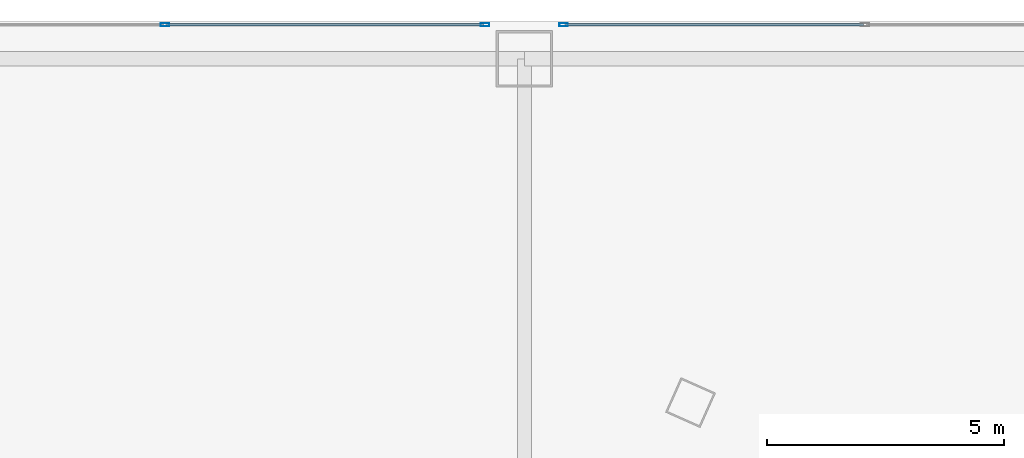
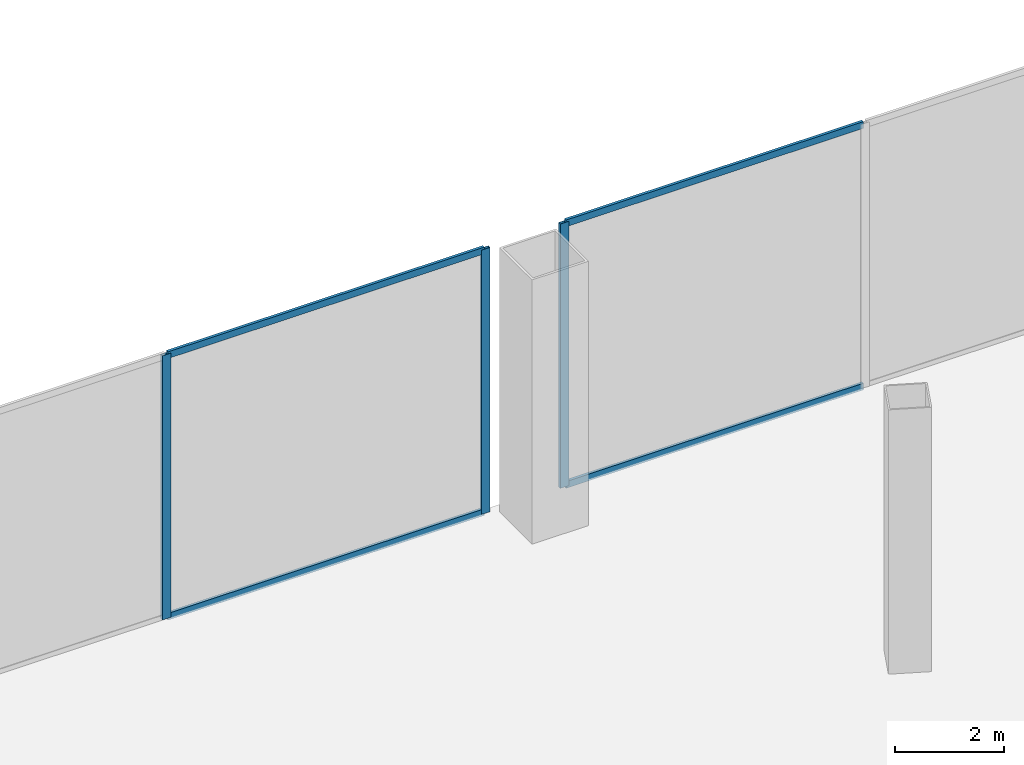
# One storey, part 26 of 41: 7 members, 2 elements without a shape of their own.
"""IFC4 building model written with IfcOpenShell, lengths in metres."""

from ifc_helpers import new_model, si_unit, direction, frame, origin, origin_2d, place, context, subcontext, project, spatial, hollow_rectangle, extrude, source, transform, mapped, material, layer, layer_set, material_profile, profile_set, type_object, element, aggregate, save


model = new_model("IFC4")

# Units and contexts
model_context = context("Model", 3, precision=1e-05, world=origin(), true_north=direction((0.0, 1.0)))
body_context = subcontext(model_context, "Body", "Model", "MODEL_VIEW")
ifc_project = project(units=[si_unit("LENGTHUNIT", "METRE"), si_unit("AREAUNIT", "SQUARE_METRE"), si_unit("VOLUMEUNIT", "CUBIC_METRE"), si_unit("PLANEANGLEUNIT", "RADIAN"), si_unit("MASSUNIT", "GRAM", prefix="KILO"), si_unit("THERMODYNAMICTEMPERATUREUNIT", "KELVIN"), si_unit("POWERUNIT", "WATT")], contexts=[model_context])

# Site, building, storey
site_placement = place(None, origin())
site = spatial("IfcSite", under=ifc_project, at=site_placement, CompositionType="ELEMENT")
building_placement = place(site_placement, origin())
building = spatial("IfcBuilding", under=site, at=building_placement, Name="Yunzhuo Pagoda Commons", CompositionType="ELEMENT")
storey_placement = place(building_placement, frame((0.0, 0.0, 19.199951171875)))
storey = spatial("IfcBuildingStorey", under=building, at=storey_placement, Name="L05", CompositionType="ELEMENT", Elevation=19.199951171875)

# Curtain wall, members
ifc_material = material(Name="Anodized aluminium 6063-T6", Category="aluminium")
ifc_layer = layer(ifc_material, 0.179931640625)
ifc_layer_set = layer_set([ifc_layer], Name="Anodized aluminium 6063-T6")
curtain_wall_type = type_object("IfcCurtainWallType", Name="CW-POD Waterfront Podium Curtain Wall", PredefinedType="NOTDEFINED", material=ifc_layer_set)
curtain_wall_1_placement = place(storey_placement, origin())
curtain_wall_1 = element("IfcCurtainWall", 1, at=curtain_wall_1_placement, inside=storey, type_object=curtain_wall_type, Name="L05 curtain wall CW-L05-N4", PredefinedType="NOTDEFINED")
ifc_material_profile_1 = material_profile(ifc_material, hollow_rectangle(XDim=0.06005859375, YDim=0.14990234375, WallThickness=0.00390625, at=origin_2d()), Name="Anodized aluminium 6063-T6")
ifc_profile_set_1 = profile_set([ifc_material_profile_1], Name="Anodized aluminium 6063-T6")
member_type_1 = type_object("IfcMemberType", Name="CW-POD-T Transom RHS 150x60x4", PredefinedType="USERDEFINED", material=ifc_profile_set_1)
shared_shape_1 = source(origin(), body_context, "Body", "SweptSolid", [
    extrude(hollow_rectangle(XDim=0.06005859375, YDim=0.14990234375, WallThickness=0.00390625, at=origin_2d()), origin(), (0.0, 0.0, 1.0), 6.302490234375),
])
member_1_placement = place(storey_placement, frame((63.264892578125, 81.919921875, 0.0302734375), z_axis=(1.0, 0.0, 0.0), x_axis=(0.0, 1.0, 0.0)))
member_1 = element("IfcMember", 2, at=member_1_placement, type_object=member_type_1, Name="CW transom 1.1", ObjectType="TRANSOM", PredefinedType="USERDEFINED", context=body_context, shape_type="MappedRepresentation", body=[
    mapped(shared_shape_1, transform((0.0, 0.0, 0.0), scale=1.0)),
])
member_2_placement = place(storey_placement, frame((63.264892578125, 81.919921875, 5.89013671875), z_axis=(1.0, 0.0, 0.0), x_axis=(0.0, 1.0, 0.0)))
member_2 = element("IfcMember", 3, at=member_2_placement, type_object=member_type_1, Name="CW transom 1.2", ObjectType="TRANSOM", PredefinedType="USERDEFINED", context=body_context, shape_type="MappedRepresentation", body=[
    mapped(shared_shape_1, transform((0.0, 0.0, 0.0), scale=1.0)),
])

curtain_wall_2_placement = place(storey_placement, origin())
curtain_wall_2 = element("IfcCurtainWall", 4, at=curtain_wall_2_placement, inside=storey, type_object=curtain_wall_type, Name="L05 curtain wall CW-L05-N3", PredefinedType="NOTDEFINED")
shared_shape_2 = source(origin(), body_context, "Body", "SweptSolid", [
    extrude(hollow_rectangle(XDim=0.06005859375, YDim=0.14990234375, WallThickness=0.00390625, at=origin_2d()), origin(), (0.0, 0.0, 1.0), 6.7021484375),
])
member_3_placement = place(storey_placement, frame((54.832763671875, 81.919921875, 0.0302734375), z_axis=(1.0, 0.0, 0.0), x_axis=(0.0, 1.0, 0.0)))
member_3 = element("IfcMember", 5, at=member_3_placement, type_object=member_type_1, Name="CW transom 4.1", ObjectType="TRANSOM", PredefinedType="USERDEFINED", context=body_context, shape_type="MappedRepresentation", body=[
    mapped(shared_shape_2, transform((0.0, 0.0, 0.0), scale=1.0)),
])
member_4_placement = place(storey_placement, frame((54.832763671875, 81.919921875, 5.89013671875), z_axis=(1.0, 0.0, 0.0), x_axis=(0.0, 1.0, 0.0)))
member_4 = element("IfcMember", 6, at=member_4_placement, type_object=member_type_1, Name="CW transom 4.2", ObjectType="TRANSOM", PredefinedType="USERDEFINED", context=body_context, shape_type="MappedRepresentation", body=[
    mapped(shared_shape_2, transform((0.0, 0.0, 0.0), scale=1.0)),
])
ifc_material_profile_2 = material_profile(ifc_material, hollow_rectangle(XDim=0.06494140625, YDim=0.179931640625, WallThickness=0.00390625, at=origin_2d()), Name="Anodized aluminium 6063-T6")
ifc_profile_set_2 = profile_set([ifc_material_profile_2], Name="Anodized aluminium 6063-T6")
member_type_2 = type_object("IfcMemberType", Name="CW-POD-M Mullion RHS 180x65x4", PredefinedType="MULLION", material=ifc_profile_set_2)
shared_shape_3 = source(origin(), body_context, "Body", "SweptSolid", [
    extrude(hollow_rectangle(XDim=0.06494140625, YDim=0.179931640625, WallThickness=0.00390625, at=origin_2d()), origin(), (0.0, 0.0, 1.0), 5.920166015625),
])
member_5_placement = place(storey_placement, frame((54.800048828125, 81.919921875, 0.0), z_axis=(0.0, 0.0, 1.0), x_axis=(0.0, 1.0, 0.0)))
member_5 = element("IfcMember", 7, at=member_5_placement, type_object=member_type_2, Name="CW mullion 4", PredefinedType="MULLION", context=body_context, shape_type="MappedRepresentation", body=[
    mapped(shared_shape_3, transform((0.0, 0.0, 0.0), scale=1.0)),
])
member_6_placement = place(storey_placement, frame((61.5673828125, 81.919921875, 0.0), z_axis=(0.0, 0.0, 1.0), x_axis=(0.0, 1.0, 0.0)))
member_6 = element("IfcMember", 8, at=member_6_placement, type_object=member_type_2, Name="CW mullion 5", PredefinedType="MULLION", context=body_context, shape_type="MappedRepresentation", body=[
    mapped(shared_shape_3, transform((0.0, 0.0, 0.0), scale=1.0)),
])
aggregate(curtain_wall_2, [member_5, member_6, member_3, member_4])

# Member
member_7_placement = place(storey_placement, frame((63.232421875, 81.919921875, 0.0), z_axis=(0.0, 0.0, 1.0), x_axis=(0.0, 1.0, 0.0)))
member_7 = element("IfcMember", 9, at=member_7_placement, type_object=member_type_2, Name="CW mullion 1", PredefinedType="MULLION", context=body_context, shape_type="MappedRepresentation", body=[
    mapped(shared_shape_3, transform((0.0, 0.0, 0.0), scale=1.0)),
])

aggregate(curtain_wall_1, [member_7, member_1, member_2])

save(model, "model.ifc")
